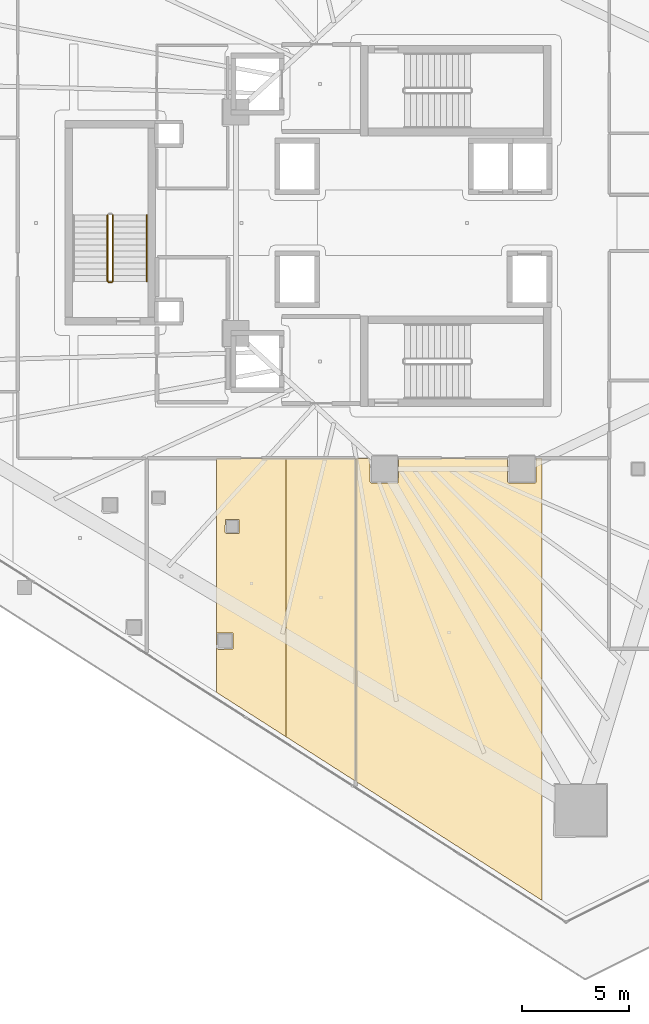
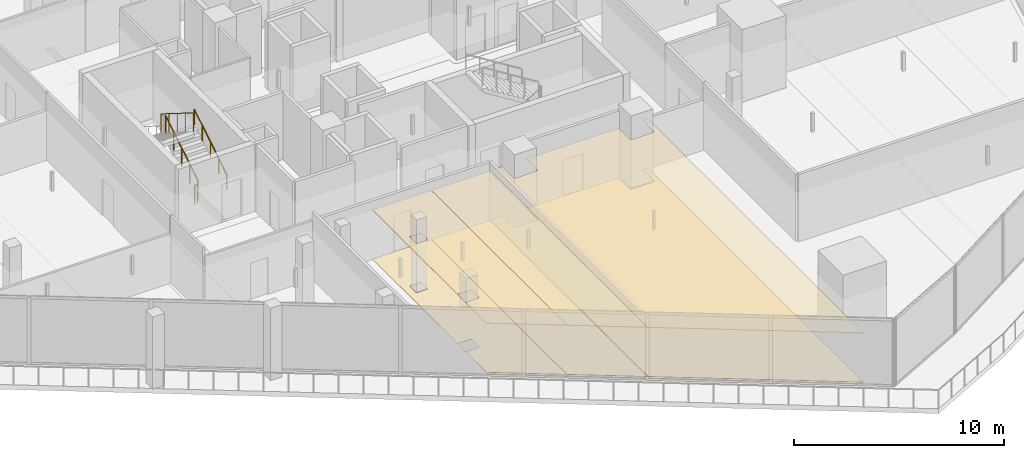
# One storey, part 37 of 44: 6 coverings, 4 railings.
"""IFC4 building model written with IfcOpenShell, lengths in metres."""

from ifc_helpers import new_model, si_unit, direction, frame, origin, origin_2d, place, context, subcontext, project, spatial, polyline, circle, outline, extrude, material, layer, layer_set, type_object, element, save


model = new_model("IFC4")

# Units and contexts
model_context = context("Model", 3, precision=1e-05, world=origin(), true_north=direction((0.0, 1.0)))
body_context = subcontext(model_context, "Body", "Model", "MODEL_VIEW")
ifc_project = project(units=[si_unit("LENGTHUNIT", "METRE"), si_unit("AREAUNIT", "SQUARE_METRE"), si_unit("VOLUMEUNIT", "CUBIC_METRE"), si_unit("PLANEANGLEUNIT", "RADIAN"), si_unit("MASSUNIT", "GRAM", prefix="KILO")], contexts=[model_context])

# Site, building, storey
site_placement = place(None, origin())
site = spatial("IfcSite", under=ifc_project, at=site_placement, CompositionType="ELEMENT")
building_placement = place(site_placement, origin())
building = spatial("IfcBuilding", under=site, at=building_placement, Name="Qorvath Tower", CompositionType="ELEMENT")
storey_placement = place(building_placement, frame((0.0, 0.0, 70.199951171875)))
storey = spatial("IfcBuildingStorey", under=building, at=storey_placement, Name="L15", CompositionType="ELEMENT", Elevation=70.199951171875)

# Coverings
ifc_material_1 = material(Name="Acoustic mineral fibre ceiling tile", Category="gypsum")
ifc_layer_1 = layer(ifc_material_1, 0.030029296875)
ifc_layer_set_1 = layer_set([ifc_layer_1], Name="COV-CEIL")
covering_type_1 = type_object("IfcCoveringType", Name="COV-CEIL", PredefinedType="CEILING", material=ifc_layer_set_1)
covering_1_placement = place(storey_placement, frame((0.0, 0.0, 2.85009765625)))
element("IfcCovering", 1, at=covering_1_placement, inside=storey, type_object=covering_type_1, Name="L15 Suspended Acoustic Ceiling 020", PredefinedType="CEILING", context=body_context, shape_type="SweptSolid", body=[
    extrude(outline(polyline([(-31.40869140625, -10.962890625), (-31.40869140625, -21.84423828125), (-28.172119140625, -23.912841796875), (-28.172119140625, -10.962890625), (-31.40869140625, -10.962890625)]), holes=[polyline([(-31.01220703125, -14.3994140625), (-30.99462890625, -13.806884765625), (-30.35986328125, -13.806884765625), (-30.35986328125, -14.441650390625), (-30.9521484375, -14.459228515625), (-31.01220703125, -14.3994140625)]), polyline([(-31.401123046875, -19.785400390625), (-31.383544921875, -19.093017578125), (-30.648681640625, -19.093017578125), (-30.648681640625, -19.827880859375), (-31.341064453125, -19.845458984375), (-31.401123046875, -19.785400390625)])]), origin(), (0.0, 0.0, 1.0), 0.030029296875),
])
covering_2_placement = place(storey_placement, frame((0.0, 0.0, 2.85009765625)))
element("IfcCovering", 2, at=covering_2_placement, inside=storey, type_object=covering_type_1, Name="L15 Suspended Acoustic Ceiling 021", PredefinedType="CEILING", context=body_context, shape_type="SweptSolid", body=[
    extrude(outline(polyline([(-28.172119140625, -10.962890625), (-28.172119140625, -23.912841796875), (-24.935791015625, -25.981201171875), (-24.935791015625, -10.962890625), (-28.172119140625, -10.962890625)])), origin(), (0.0, 0.0, 1.0), 0.030029296875),
])
covering_3_placement = place(storey_placement, frame((0.0, 0.0, 2.85009765625)))
element("IfcCovering", 3, at=covering_3_placement, inside=storey, type_object=covering_type_1, Name="L15 Suspended Acoustic Ceiling 022", PredefinedType="CEILING", context=body_context, shape_type="SweptSolid", body=[
    extrude(outline(polyline([(-24.917724609375, -25.99267578125), (-16.271484375, -31.518798828125), (-16.271484375, -10.962890625), (-16.5400390625, -10.962890625), (-16.5576171875, -12.092529296875), (-17.800048828125, -12.110107421875), (-17.860107421875, -12.050048828125), (-17.860107421875, -10.962890625), (-22.93994140625, -10.962890625), (-22.95751953125, -12.092529296875), (-24.199951171875, -12.110107421875), (-24.260009765625, -12.050048828125), (-24.260009765625, -10.962890625), (-24.917724609375, -10.962890625), (-24.917724609375, -25.99267578125)])), origin(), (0.0, 0.0, 1.0), 0.030029296875),
])
ifc_material_2 = material(Name="Low-VOC modular carpet tile", Category="textile")
ifc_layer_2 = layer(ifc_material_2, 0.014892578125)
ifc_layer_set_2 = layer_set([ifc_layer_2], Name="COV-FLOOR-CPT")
covering_type_2 = type_object("IfcCoveringType", Name="COV-FLOOR-CPT", PredefinedType="FLOORING", material=ifc_layer_set_2)
covering_4_placement = place(storey_placement, origin())
element("IfcCovering", 4, at=covering_4_placement, inside=storey, type_object=covering_type_2, Name="L15 Floor Finish 020", PredefinedType="FLOORING", context=body_context, shape_type="SweptSolid", body=[
    extrude(outline(polyline([(-31.40869140625, -10.962890625), (-31.40869140625, -21.84423828125), (-28.172119140625, -23.912841796875), (-28.172119140625, -10.962890625), (-31.40869140625, -10.962890625)]), holes=[polyline([(-31.01220703125, -14.3994140625), (-30.99462890625, -13.806884765625), (-30.35986328125, -13.806884765625), (-30.35986328125, -14.441650390625), (-30.9521484375, -14.459228515625), (-31.01220703125, -14.3994140625)]), polyline([(-31.401123046875, -19.785400390625), (-31.383544921875, -19.093017578125), (-30.648681640625, -19.093017578125), (-30.648681640625, -19.827880859375), (-31.341064453125, -19.845458984375), (-31.401123046875, -19.785400390625)])]), origin(), (0.0, 0.0, 1.0), 0.01513671875),
])
covering_5_placement = place(storey_placement, origin())
element("IfcCovering", 5, at=covering_5_placement, inside=storey, type_object=covering_type_2, Name="L15 Floor Finish 021", PredefinedType="FLOORING", context=body_context, shape_type="SweptSolid", body=[
    extrude(outline(polyline([(-28.172119140625, -10.962890625), (-28.172119140625, -23.912841796875), (-24.935791015625, -25.981201171875), (-24.935791015625, -10.962890625), (-28.172119140625, -10.962890625)])), origin(), (0.0, 0.0, 1.0), 0.01513671875),
])
covering_6_placement = place(storey_placement, origin())
element("IfcCovering", 6, at=covering_6_placement, inside=storey, type_object=covering_type_2, Name="L15 Floor Finish 022", PredefinedType="FLOORING", context=body_context, shape_type="SweptSolid", body=[
    extrude(outline(polyline([(-24.917724609375, -25.99267578125), (-16.271484375, -31.518798828125), (-16.271484375, -10.962890625), (-16.5400390625, -10.962890625), (-16.5576171875, -12.092529296875), (-17.800048828125, -12.110107421875), (-17.860107421875, -12.050048828125), (-17.860107421875, -10.962890625), (-22.93994140625, -10.962890625), (-22.95751953125, -12.092529296875), (-24.199951171875, -12.110107421875), (-24.260009765625, -12.050048828125), (-24.260009765625, -10.962890625), (-24.917724609375, -10.962890625), (-24.917724609375, -25.99267578125)])), origin(), (0.0, 0.0, 1.0), 0.01513671875),
])

# Railings
ifc_material_3 = material(Name="Painted galvanised steel", Category="steel")
railing_type_1 = type_object("IfcRailingType", Name="RL-STR-GRD", PredefinedType="GUARDRAIL", material=ifc_material_3)
railing_1_placement = place(storey_placement, frame((-36.22998046875, -2.719970703125, 0.175048828125)))
element("IfcRailing", 7, at=railing_1_placement, inside=storey, type_object=railing_type_1, Name="L15 TS3 stair guard 1", PredefinedType="GUARDRAIL", context=body_context, shape_type="SweptSolid", body=[
    extrude(circle(Radius=0.02392578125, at=origin_2d()), frame((0.0, 0.0, 1.076171875), z_axis=(0.0, 0.847998304005, 0.529998940003), x_axis=(-1.0, 0.0, 0.0)), (0.0, 0.0, 1.0), 3.632080078125),
    extrude(circle(Radius=0.02099609375, at=origin_2d()), origin(), (0.0, 0.0, 1.0), 1.052001953125),
    extrude(circle(Radius=0.02099609375, at=origin_2d()), frame((0.0, 0.77001953125, 0.481201171875)), (0.0, 0.0, 1.0), 1.052001953125),
    extrude(circle(Radius=0.02099609375, at=origin_2d()), frame((0.0, 1.5400390625, 0.96240234375)), (0.0, 0.0, 1.0), 1.052001953125),
    extrude(circle(Radius=0.02099609375, at=origin_2d()), frame((0.0, 2.31005859375, 1.44384765625)), (0.0, 0.0, 1.0), 1.052001953125),
    extrude(circle(Radius=0.02099609375, at=origin_2d()), frame((0.0, 3.080078125, 1.925048828125)), (0.0, 0.0, 1.0), 1.052001953125),
])
railing_2_placement = place(storey_placement, frame((-36.47998046875, 0.360107421875, 2.275146484375)))
element("IfcRailing", 8, at=railing_2_placement, inside=storey, type_object=railing_type_1, Name="L15 TS3 stair guard 3", PredefinedType="GUARDRAIL", context=body_context, shape_type="SweptSolid", body=[
    extrude(circle(Radius=0.02392578125, at=origin_2d()), frame((0.0, 0.0, 1.076171875), z_axis=(0.0, -0.848028513186, 0.529950602248), x_axis=(1.0, 0.0, 0.0)), (0.0, 0.0, 1.0), 3.632080078125),
    extrude(circle(Radius=0.02099609375, at=origin_2d()), origin(), (0.0, 0.0, 1.0), 1.052001953125),
    extrude(circle(Radius=0.02099609375, at=origin_2d()), frame((0.0, -0.77001953125, 0.481201171875)), (0.0, 0.0, 1.0), 1.052001953125),
    extrude(circle(Radius=0.02099609375, at=origin_2d()), frame((0.0, -1.5400390625, 0.96240234375)), (0.0, 0.0, 1.0), 1.052001953125),
    extrude(circle(Radius=0.02099609375, at=origin_2d()), frame((0.0, -2.31005859375, 1.443603515625)), (0.0, 0.0, 1.0), 1.052001953125),
    extrude(circle(Radius=0.02099609375, at=origin_2d()), frame((0.0, -3.080078125, 1.9248046875)), (0.0, 0.0, 1.0), 1.052001953125),
])
railing_3_placement = place(storey_placement, frame((-36.280029296875, -2.77001953125, 0.0)))
element("IfcRailing", 9, at=railing_3_placement, inside=storey, type_object=railing_type_1, Name="L15 TS3 stair guard 4", PredefinedType="GUARDRAIL", context=body_context, shape_type="SweptSolid", body=[
    extrude(circle(Radius=0.02392578125, at=origin_2d()), frame((0.0, 0.0, 1.076171875), z_axis=(-1.0, 0.0, 0.0), x_axis=(0.0, -1.0, 0.0)), (0.0, 0.0, 1.0), 0.14990234375),
    extrude(circle(Radius=0.02099609375, at=origin_2d()), origin(), (0.0, 0.0, 1.0), 1.052001953125),
    extrude(circle(Radius=0.02099609375, at=origin_2d()), frame((-0.14990234375, 0.0, 0.0)), (0.0, 0.0, 1.0), 1.052001953125),
])
ifc_material_4 = material(Name="Brushed stainless steel AISI 304", Category="steel")
railing_type_2 = type_object("IfcRailingType", Name="RL-STR-HND", PredefinedType="HANDRAIL", material=ifc_material_4)
railing_4_placement = place(storey_placement, frame((-34.64990234375, -2.719970703125, 0.175048828125)))
element("IfcRailing", 10, at=railing_4_placement, inside=storey, type_object=railing_type_2, Name="L15 TS3 stair handrail 1", PredefinedType="HANDRAIL", context=body_context, shape_type="SweptSolid", body=[
    extrude(circle(Radius=0.02392578125, at=origin_2d()), frame((0.0, 0.0, 0.8759765625), z_axis=(0.0, 0.847998304005, 0.529998940003), x_axis=(-1.0, 0.0, 0.0)), (0.0, 0.0, 1.0), 3.632080078125),
    extrude(circle(Radius=0.02099609375, at=origin_2d()), origin(), (0.0, 0.0, 1.0), 0.851806640625),
    extrude(circle(Radius=0.02099609375, at=origin_2d()), frame((0.0, 0.77001953125, 0.481201171875)), (0.0, 0.0, 1.0), 0.851806640625),
    extrude(circle(Radius=0.02099609375, at=origin_2d()), frame((0.0, 1.5400390625, 0.96240234375)), (0.0, 0.0, 1.0), 0.851806640625),
    extrude(circle(Radius=0.02099609375, at=origin_2d()), frame((0.0, 2.31005859375, 1.44384765625)), (0.0, 0.0, 1.0), 0.851806640625),
    extrude(circle(Radius=0.02099609375, at=origin_2d()), frame((0.0, 3.080078125, 1.925048828125)), (0.0, 0.0, 1.0), 0.851806640625),
])

save(model, "model.ifc")
